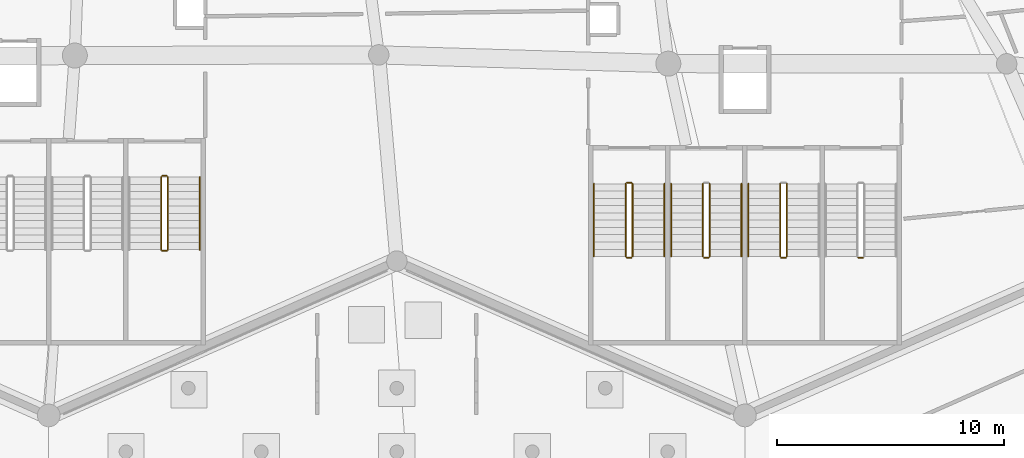
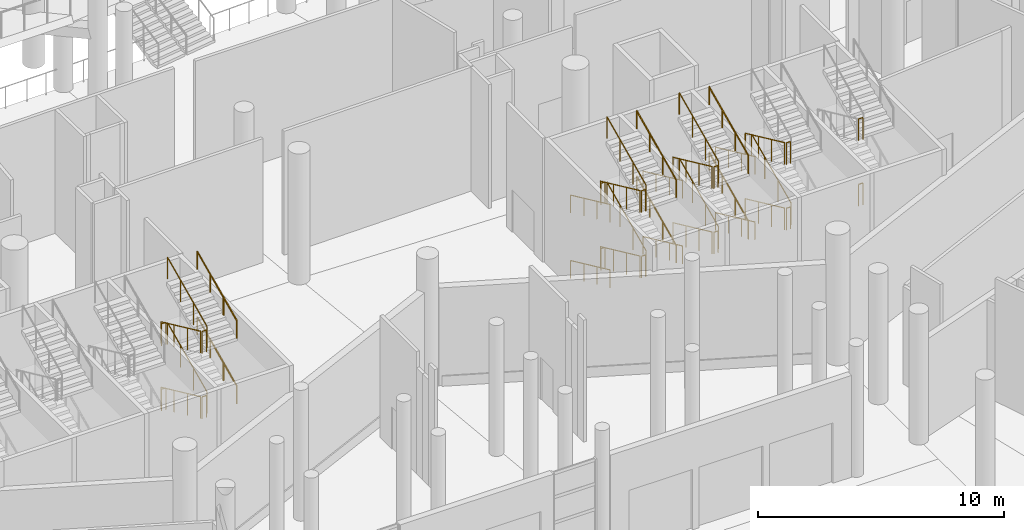
# One storey, part 204 of 255: 41 railings.
"""IFC4 building model written with IfcOpenShell, lengths in metres."""

import ifcopenshell
import ifcopenshell.guid

model = None  # the IFC model being written
_history = None  # IfcOwnerHistory: only IFC2X3 demands one
_inside = {}  # id of a spatial element -> (the spatial element, [elements in it])
_under = {}  # id of a project, library or spatial element -> (it, [spatial elements below it])
_declared = {}  # id of a project -> (the project, [libraries it declares])
_typed = {}  # id of a type object -> (the type object, [elements of that type])
_made_of = {}  # id of a material, layer set ... -> (it, [elements and type objects made of it])


def new_model(schema):
    """Start an empty IFC model of exactly this schema.

    Asked for "IFC4X3", IfcOpenShell would pick the latest addendum, in which some entities
    have other attributes; the version numbers below select the first issue.
    IFC2X3 requires an IfcOwnerHistory on every rooted entity: one is made here for all.
    """
    global model, _history
    if schema == "IFC4X3":
        model = ifcopenshell.file(schema_version=(4, 3, 0, 0))
    else:
        model = ifcopenshell.file(schema=schema)
    _inside.clear()
    _under.clear()
    _declared.clear()
    _typed.clear()
    _made_of.clear()
    _history = None
    if model.schema == "IFC2X3":
        org = make("IfcOrganization", Name="unknown")
        user = make(
            "IfcPersonAndOrganization",
            ThePerson=make("IfcPerson", FamilyName="unknown"),
            TheOrganization=org,
        )
        app = make(
            "IfcApplication",
            ApplicationDeveloper=org,
            Version="unknown",
            ApplicationFullName="unknown",
            ApplicationIdentifier="unknown",
        )
        _history = make(
            "IfcOwnerHistory",
            OwningUser=user,
            OwningApplication=app,
            ChangeAction="ADDED",
            CreationDate=0,
        )
    return model


def make(cls, **values):
    """One entity of the class cls with the attributes given. An attribute that is None is left unset."""
    return model.create_entity(
        cls, **{name: value for name, value in values.items() if value is not None}
    )


def rooted(cls, **values):
    """An entity with a GlobalId (a new one), such as an element, a storey or a relation."""
    return make(cls, GlobalId=ifcopenshell.guid.new(), OwnerHistory=_history, **values)


def si_unit(unit_type, name, prefix=None):
    """IfcSIUnit, for example si_unit("LENGTHUNIT", "METRE", prefix="MILLI")."""
    return make("IfcSIUnit", UnitType=unit_type, Prefix=prefix, Name=name)


def assignment(units):
    """IfcUnitAssignment: the units of a project."""
    return None if units is None else make("IfcUnitAssignment", Units=units)


def point(xyz):
    """IfcCartesianPoint."""
    return None if xyz is None else make("IfcCartesianPoint", Coordinates=xyz)


def direction(xyz):
    """IfcDirection."""
    return None if xyz is None else make("IfcDirection", DirectionRatios=xyz)


def frame(location, z_axis=None, x_axis=None):
    """IfcAxis2Placement3D, a coordinate frame: its origin and axes. An axis left out is left unset."""
    return make(
        "IfcAxis2Placement3D",
        Location=point(location),
        Axis=direction(z_axis),
        RefDirection=direction(x_axis),
    )


def frame_2d(location, x_axis=None):
    """IfcAxis2Placement2D, a coordinate frame in the plane: its origin and x axis."""
    return make(
        "IfcAxis2Placement2D", Location=point(location), RefDirection=direction(x_axis)
    )


def origin():
    """The frame at (0, 0, 0) with its axes left unset."""
    return frame((0.0, 0.0, 0.0))


def origin_2d():
    """The frame at (0, 0) in the plane with its x axis left unset."""
    return frame_2d((0.0, 0.0))


def place(relative_to, where):
    """IfcLocalPlacement: puts the frame where relative to a parent placement (None: the world)."""
    return make(
        "IfcLocalPlacement", PlacementRelTo=relative_to, RelativePlacement=where
    )


def context(
    kind, dimensions, precision=None, world=None, true_north=None, identifier=None
):
    """IfcGeometricRepresentationContext, for example the 3D "Model" context."""
    return make(
        "IfcGeometricRepresentationContext",
        ContextIdentifier=identifier,
        ContextType=kind,
        CoordinateSpaceDimension=dimensions,
        Precision=precision,
        WorldCoordinateSystem=world,
        TrueNorth=true_north,
    )


def subcontext(parent, identifier, kind, view, scale=None):
    """IfcGeometricRepresentationSubContext, for example "Body" below "Model"."""
    return make(
        "IfcGeometricRepresentationSubContext",
        ContextIdentifier=identifier,
        ContextType=kind,
        ParentContext=parent,
        TargetScale=scale,
        TargetView=view,
    )


def project(units=None, contexts=None):
    """IfcProject with its units and contexts."""
    return rooted(
        "IfcProject",
        Name="project",
        RepresentationContexts=contexts,
        UnitsInContext=assignment(units),
    )


def spatial(cls, under=None, at=None, **own):
    """A site, building, storey or space (cls), placed at a placement, below another one or the project."""
    s = rooted(cls, ObjectPlacement=at, **own)
    if under is not None:
        _under.setdefault(under.id(), (under, []))[1].append(s)
    return s


def profile(cls, at=None, kind="AREA", **sizes):
    """A parametric profile (cls). Its sizes go by their IFC names, for example OverallWidth=200.0."""
    return make(cls, ProfileType=kind, Position=at, **sizes)


def circle(**sizes):
    """IfcCircleProfileDef."""
    return profile("IfcCircleProfileDef", **sizes)


def extrude(swept, where, along, depth):
    """IfcExtrudedAreaSolid: the profile swept, set in the frame where, extruded along a direction by depth."""
    return make(
        "IfcExtrudedAreaSolid",
        SweptArea=swept,
        Position=where,
        ExtrudedDirection=direction(along),
        Depth=depth,
    )


def shape(context_of_items, identifier, shape_type, items):
    """IfcShapeRepresentation: the items that make up one representation, for example the "Body"."""
    return make(
        "IfcShapeRepresentation",
        ContextOfItems=context_of_items,
        RepresentationIdentifier=identifier,
        RepresentationType=shape_type,
        Items=items,
    )


def material(Name=None, Category=None):
    """IfcMaterial."""
    return make("IfcMaterial", Name=Name, Category=Category)


def made_of(thing, what):
    """Note that an element or type object is made of a material, layer set ...; save() writes the relation."""
    if what is not None:
        _made_of.setdefault(what.id(), (what, []))[1].append(thing)
    return thing


def type_object(cls, material=None, **own):
    """A type object (cls), such as IfcWallType, which elements share."""
    return made_of(rooted(cls, **own), material)


def element(
    cls,
    number,
    at=None,
    inside=None,
    cuts=None,
    type_object=None,
    material=None,
    context=None,
    identifier="Body",
    shape_type=None,
    held_by="IfcProductDefinitionShape",
    body=None,
    shapes=None,
    **own,
):
    """One element of the class cls, such as IfcWall. Its Tag is "e" and its number.

    at: its placement. inside: the storey or other place that contains it. cuts: it is an
    opening in that element (IfcRelVoidsElement). A single representation is given by context,
    identifier, shape_type and body (its items); several are given by shapes. held_by: the class
    of the entity that holds the representations. save() writes the other relations.
    """
    e = rooted(cls, Tag="e%d" % number, ObjectPlacement=at, **own)
    if body is not None:
        shapes = [shape(context, identifier, shape_type, body)]
    if shapes is not None:
        e.Representation = make(held_by, Representations=shapes)
    if inside is not None:
        _inside.setdefault(inside.id(), (inside, []))[1].append(e)
    if cuts is not None:
        rooted(
            "IfcRelVoidsElement", RelatingBuildingElement=cuts, RelatedOpeningElement=e
        )
    if type_object is not None:
        _typed.setdefault(type_object.id(), (type_object, []))[1].append(e)
    return made_of(e, material)


def aggregate(whole, parts):
    """IfcRelAggregates: a whole, such as a stair, and the parts it consists of."""
    return rooted("IfcRelAggregates", RelatingObject=whole, RelatedObjects=parts)


def save(model, path):
    """Write the relations noted so far, then the file.

    IfcRelAggregates (storeys below a building ...), IfcRelContainedInSpatialStructure (elements
    in a storey), IfcRelDefinesByType, IfcRelAssociatesMaterial and IfcRelDeclares: one each for
    every whole, place, type object, material and project.
    """
    for whole, parts in _under.values():
        aggregate(whole, parts)
    for where, things in _inside.values():
        rooted(
            "IfcRelContainedInSpatialStructure",
            RelatedElements=things,
            RelatingStructure=where,
        )
    for kind, things in _typed.values():
        rooted("IfcRelDefinesByType", RelatedObjects=things, RelatingType=kind)
    for what, things in _made_of.values():
        rooted("IfcRelAssociatesMaterial", RelatedObjects=things, RelatingMaterial=what)
    for by, libraries in _declared.values():
        rooted("IfcRelDeclares", RelatingContext=by, RelatedDefinitions=libraries)
    model.write(path)


model = new_model("IFC4")

# Units and contexts
model_context = context("Model", 3, precision=1e-05, world=origin(), true_north=direction((0.0, 1.0)))
body_context = subcontext(model_context, "Body", "Model", "MODEL_VIEW")
ifc_project = project(units=[si_unit("LENGTHUNIT", "METRE"), si_unit("AREAUNIT", "SQUARE_METRE"), si_unit("VOLUMEUNIT", "CUBIC_METRE"), si_unit("PLANEANGLEUNIT", "RADIAN"), si_unit("MASSUNIT", "GRAM", prefix="KILO")], contexts=[model_context])

# Site, building, storey
site_placement = place(None, origin())
site = spatial("IfcSite", under=ifc_project, at=site_placement, CompositionType="ELEMENT")
building_placement = place(site_placement, origin())
building = spatial("IfcBuilding", under=site, at=building_placement, Name="Meseta Stadium", CompositionType="ELEMENT")
storey_placement = place(building_placement, origin())
storey = spatial("IfcBuildingStorey", under=building, at=storey_placement, Name="L00", CompositionType="ELEMENT", Elevation=0.0)

# Railings
ifc_material_1 = material(Name="Steel S355", Category="steel")
railing_type_1 = type_object("IfcRailingType", Name="Stair guard 1100", PredefinedType="GUARDRAIL", material=ifc_material_1)
railing_1_placement = place(storey_placement, frame((-2.716552734375, -94.89990234375, 0.147705078125)))
element("IfcRailing", 1, at=railing_1_placement, inside=storey, type_object=railing_type_1, Name="ST96 L00 guard 1", PredefinedType="GUARDRAIL", context=body_context, shape_type="SweptSolid", body=[
    extrude(circle(Radius=0.02392578125, at=origin_2d()), frame((0.0, 0.0, 1.076171875), z_axis=(0.0, -0.907928972973, 0.419124062821), x_axis=(1.0, 0.0, 0.0)), (0.0, 0.0, 1.0), 3.524658203125),
    extrude(circle(Radius=0.02099609375, at=origin_2d()), origin(), (0.0, 0.0, 1.0), 1.052001953125),
    extrude(circle(Radius=0.02099609375, at=origin_2d()), frame((0.0, -1.066650390625, 0.492431640625)), (0.0, 0.0, 1.0), 1.052001953125),
    extrude(circle(Radius=0.02099609375, at=origin_2d()), frame((0.0, -2.133544921875, 0.98486328125)), (0.0, 0.0, 1.0), 1.052001953125),
    extrude(circle(Radius=0.02099609375, at=origin_2d()), frame((0.0, -3.2001953125, 1.477294921875)), (0.0, 0.0, 1.0), 1.052001953125),
])
railing_2_placement = place(storey_placement, frame((-2.666748046875, -98.14990234375, 1.625)))
element("IfcRailing", 2, at=railing_2_placement, inside=storey, type_object=railing_type_1, Name="ST96 L00 guard 2", PredefinedType="GUARDRAIL", context=body_context, shape_type="SweptSolid", body=[
    extrude(circle(Radius=0.02392578125, at=origin_2d()), frame((0.0, 0.0, 1.076171875), z_axis=(1.0, 0.0, 0.0), x_axis=(0.0, 1.0, 0.0)), (0.0, 0.0, 1.0), 0.2001953125),
    extrude(circle(Radius=0.02099609375, at=origin_2d()), origin(), (0.0, 0.0, 1.0), 1.052001953125),
    extrude(circle(Radius=0.02099609375, at=origin_2d()), frame((0.2001953125, 0.0, 0.0)), (0.0, 0.0, 1.0), 1.052001953125),
])
railing_3_placement = place(storey_placement, frame((-2.416748046875, -98.10009765625, 1.772705078125)))
element("IfcRailing", 3, at=railing_3_placement, inside=storey, type_object=railing_type_1, Name="ST96 L00 guard 3", PredefinedType="GUARDRAIL", context=body_context, shape_type="SweptSolid", body=[
    extrude(circle(Radius=0.02392578125, at=origin_2d()), frame((0.0, 0.0, 1.076171875), z_axis=(0.0, 0.907928972973, 0.419124062821), x_axis=(-1.0, 0.0, 0.0)), (0.0, 0.0, 1.0), 3.524658203125),
    extrude(circle(Radius=0.02099609375, at=origin_2d()), origin(), (0.0, 0.0, 1.0), 1.052001953125),
    extrude(circle(Radius=0.02099609375, at=origin_2d()), frame((0.0, 1.066650390625, 0.492431640625)), (0.0, 0.0, 1.0), 1.052001953125),
    extrude(circle(Radius=0.02099609375, at=origin_2d()), frame((0.0, 2.133544921875, 0.98486328125)), (0.0, 0.0, 1.0), 1.052001953125),
    extrude(circle(Radius=0.02099609375, at=origin_2d()), frame((0.0, 3.2001953125, 1.477294921875)), (0.0, 0.0, 1.0), 1.052001953125),
])
railing_4_placement = place(storey_placement, frame((-2.666748046875, -94.85009765625, 3.25)))
element("IfcRailing", 4, at=railing_4_placement, inside=storey, type_object=railing_type_1, Name="ST96 L00 guard 4", PredefinedType="GUARDRAIL", context=body_context, shape_type="SweptSolid", body=[
    extrude(circle(Radius=0.02392578125, at=origin_2d()), frame((0.0, 0.0, 1.076171875), z_axis=(1.0, 0.0, 0.0), x_axis=(0.0, 1.0, 0.0)), (0.0, 0.0, 1.0), 0.2001953125),
    extrude(circle(Radius=0.02099609375, at=origin_2d()), origin(), (0.0, 0.0, 1.0), 1.052001953125),
    extrude(circle(Radius=0.02099609375, at=origin_2d()), frame((0.2001953125, 0.0, 0.0)), (0.0, 0.0, 1.0), 1.052001953125),
])
railing_5_placement = place(storey_placement, frame((-2.716552734375, -94.89990234375, 3.397705078125)))
element("IfcRailing", 5, at=railing_5_placement, inside=storey, type_object=railing_type_1, Name="ST96 L00 guard 5", PredefinedType="GUARDRAIL", context=body_context, shape_type="SweptSolid", body=[
    extrude(circle(Radius=0.02392578125, at=origin_2d()), frame((0.0, 0.0, 1.076171875), z_axis=(0.0, -0.907928972973, 0.419124062821), x_axis=(1.0, 0.0, 0.0)), (0.0, 0.0, 1.0), 3.524658203125),
    extrude(circle(Radius=0.02099609375, at=origin_2d()), origin(), (0.0, 0.0, 1.0), 1.052001953125),
    extrude(circle(Radius=0.02099609375, at=origin_2d()), frame((0.0, -1.066650390625, 0.492431640625)), (0.0, 0.0, 1.0), 1.052001953125),
    extrude(circle(Radius=0.02099609375, at=origin_2d()), frame((0.0, -2.133544921875, 0.98486328125)), (0.0, 0.0, 1.0), 1.052001953125),
    extrude(circle(Radius=0.02099609375, at=origin_2d()), frame((0.0, -3.2001953125, 1.477294921875)), (0.0, 0.0, 1.0), 1.052001953125),
])
railing_6_placement = place(storey_placement, frame((-2.666748046875, -98.14990234375, 4.875)))
element("IfcRailing", 6, at=railing_6_placement, inside=storey, type_object=railing_type_1, Name="ST96 L00 guard 6", PredefinedType="GUARDRAIL", context=body_context, shape_type="SweptSolid", body=[
    extrude(circle(Radius=0.02392578125, at=origin_2d()), frame((0.0, 0.0, 1.076171875), z_axis=(1.0, 0.0, 0.0), x_axis=(0.0, 1.0, 0.0)), (0.0, 0.0, 1.0), 0.2001953125),
    extrude(circle(Radius=0.02099609375, at=origin_2d()), origin(), (0.0, 0.0, 1.0), 1.052001953125),
    extrude(circle(Radius=0.02099609375, at=origin_2d()), frame((0.2001953125, 0.0, 0.0)), (0.0, 0.0, 1.0), 1.052001953125),
])
railing_7_placement = place(storey_placement, frame((-2.416748046875, -98.10009765625, 5.022705078125)))
element("IfcRailing", 7, at=railing_7_placement, inside=storey, type_object=railing_type_1, Name="ST96 L00 guard 7", PredefinedType="GUARDRAIL", context=body_context, shape_type="SweptSolid", body=[
    extrude(circle(Radius=0.02392578125, at=origin_2d()), frame((0.0, 0.0, 1.076171875), z_axis=(0.0, 0.907928972973, 0.419124062821), x_axis=(-1.0, 0.0, 0.0)), (0.0, 0.0, 1.0), 3.524658203125),
    extrude(circle(Radius=0.02099609375, at=origin_2d()), origin(), (0.0, 0.0, 1.0), 1.052001953125),
    extrude(circle(Radius=0.02099609375, at=origin_2d()), frame((0.0, 1.066650390625, 0.492431640625)), (0.0, 0.0, 1.0), 1.052001953125),
    extrude(circle(Radius=0.02099609375, at=origin_2d()), frame((0.0, 2.133544921875, 0.98486328125)), (0.0, 0.0, 1.0), 1.052001953125),
    extrude(circle(Radius=0.02099609375, at=origin_2d()), frame((0.0, 3.2001953125, 1.477294921875)), (0.0, 0.0, 1.0), 1.052001953125),
])
railing_8_placement = place(storey_placement, frame((-2.666748046875, -94.85009765625, 0.0)))
element("IfcRailing", 8, at=railing_8_placement, inside=storey, type_object=railing_type_1, Name="ST96 L00 guard 8", PredefinedType="GUARDRAIL", context=body_context, shape_type="SweptSolid", body=[
    extrude(circle(Radius=0.02392578125, at=origin_2d()), frame((0.0, 0.0, 1.076171875), z_axis=(1.0, 0.0, 0.0), x_axis=(0.0, 1.0, 0.0)), (0.0, 0.0, 1.0), 0.2001953125),
    extrude(circle(Radius=0.02099609375, at=origin_2d()), origin(), (0.0, 0.0, 1.0), 1.052001953125),
    extrude(circle(Radius=0.02099609375, at=origin_2d()), frame((0.2001953125, 0.0, 0.0)), (0.0, 0.0, 1.0), 1.052001953125),
])
railing_9_placement = place(storey_placement, frame((17.75, -95.199951171875, 0.147705078125)))
element("IfcRailing", 9, at=railing_9_placement, inside=storey, type_object=railing_type_1, Name="ST97 L00 guard 1", PredefinedType="GUARDRAIL", context=body_context, shape_type="SweptSolid", body=[
    extrude(circle(Radius=0.02392578125, at=origin_2d()), frame((0.0, 0.0, 1.076171875), z_axis=(0.0, -0.907916804346, 0.419150422148), x_axis=(1.0, 0.0, 0.0)), (0.0, 0.0, 1.0), 3.5244140625),
    extrude(circle(Radius=0.02099609375, at=origin_2d()), origin(), (0.0, 0.0, 1.0), 1.052001953125),
    extrude(circle(Radius=0.02099609375, at=origin_2d()), frame((0.0, -1.066650390625, 0.492431640625)), (0.0, 0.0, 1.0), 1.052001953125),
    extrude(circle(Radius=0.02099609375, at=origin_2d()), frame((0.0, -2.13330078125, 0.98486328125)), (0.0, 0.0, 1.0), 1.052001953125),
    extrude(circle(Radius=0.02099609375, at=origin_2d()), frame((0.0, -3.199951171875, 1.477294921875)), (0.0, 0.0, 1.0), 1.052001953125),
])
railing_10_placement = place(storey_placement, frame((17.800048828125, -98.449951171875, 1.625)))
element("IfcRailing", 10, at=railing_10_placement, inside=storey, type_object=railing_type_1, Name="ST97 L00 guard 2", PredefinedType="GUARDRAIL", context=body_context, shape_type="SweptSolid", body=[
    extrude(circle(Radius=0.02392578125, at=origin_2d()), frame((0.0, 0.0, 1.076171875), z_axis=(1.0, 0.0, 0.0), x_axis=(0.0, 1.0, 0.0)), (0.0, 0.0, 1.0), 0.199951171875),
    extrude(circle(Radius=0.02099609375, at=origin_2d()), origin(), (0.0, 0.0, 1.0), 1.052001953125),
    extrude(circle(Radius=0.02099609375, at=origin_2d()), frame((0.199951171875, 0.0, 0.0)), (0.0, 0.0, 1.0), 1.052001953125),
])
railing_11_placement = place(storey_placement, frame((18.050048828125, -98.39990234375, 1.772705078125)))
element("IfcRailing", 11, at=railing_11_placement, inside=storey, type_object=railing_type_1, Name="ST97 L00 guard 3", PredefinedType="GUARDRAIL", context=body_context, shape_type="SweptSolid", body=[
    extrude(circle(Radius=0.02392578125, at=origin_2d()), frame((0.0, 0.0, 1.076171875), z_axis=(0.0, 0.907916804346, 0.419150422148), x_axis=(-1.0, 0.0, 0.0)), (0.0, 0.0, 1.0), 3.5244140625),
    extrude(circle(Radius=0.02099609375, at=origin_2d()), origin(), (0.0, 0.0, 1.0), 1.052001953125),
    extrude(circle(Radius=0.02099609375, at=origin_2d()), frame((0.0, 1.066650390625, 0.492431640625)), (0.0, 0.0, 1.0), 1.052001953125),
    extrude(circle(Radius=0.02099609375, at=origin_2d()), frame((0.0, 2.13330078125, 0.98486328125)), (0.0, 0.0, 1.0), 1.052001953125),
    extrude(circle(Radius=0.02099609375, at=origin_2d()), frame((0.0, 3.199951171875, 1.477294921875)), (0.0, 0.0, 1.0), 1.052001953125),
])
railing_12_placement = place(storey_placement, frame((17.800048828125, -95.14990234375, 3.25)))
element("IfcRailing", 12, at=railing_12_placement, inside=storey, type_object=railing_type_1, Name="ST97 L00 guard 4", PredefinedType="GUARDRAIL", context=body_context, shape_type="SweptSolid", body=[
    extrude(circle(Radius=0.02392578125, at=origin_2d()), frame((0.0, 0.0, 1.076171875), z_axis=(1.0, 0.0, 0.0), x_axis=(0.0, 1.0, 0.0)), (0.0, 0.0, 1.0), 0.199951171875),
    extrude(circle(Radius=0.02099609375, at=origin_2d()), origin(), (0.0, 0.0, 1.0), 1.052001953125),
    extrude(circle(Radius=0.02099609375, at=origin_2d()), frame((0.199951171875, 0.0, 0.0)), (0.0, 0.0, 1.0), 1.052001953125),
])
railing_13_placement = place(storey_placement, frame((17.75, -95.199951171875, 3.397705078125)))
element("IfcRailing", 13, at=railing_13_placement, inside=storey, type_object=railing_type_1, Name="ST97 L00 guard 5", PredefinedType="GUARDRAIL", context=body_context, shape_type="SweptSolid", body=[
    extrude(circle(Radius=0.02392578125, at=origin_2d()), frame((0.0, 0.0, 1.076171875), z_axis=(0.0, -0.907916804346, 0.419150422148), x_axis=(1.0, 0.0, 0.0)), (0.0, 0.0, 1.0), 3.5244140625),
    extrude(circle(Radius=0.02099609375, at=origin_2d()), origin(), (0.0, 0.0, 1.0), 1.052001953125),
    extrude(circle(Radius=0.02099609375, at=origin_2d()), frame((0.0, -1.066650390625, 0.492431640625)), (0.0, 0.0, 1.0), 1.052001953125),
    extrude(circle(Radius=0.02099609375, at=origin_2d()), frame((0.0, -2.13330078125, 0.98486328125)), (0.0, 0.0, 1.0), 1.052001953125),
    extrude(circle(Radius=0.02099609375, at=origin_2d()), frame((0.0, -3.199951171875, 1.477294921875)), (0.0, 0.0, 1.0), 1.052001953125),
])
railing_14_placement = place(storey_placement, frame((17.800048828125, -98.449951171875, 4.875)))
element("IfcRailing", 14, at=railing_14_placement, inside=storey, type_object=railing_type_1, Name="ST97 L00 guard 6", PredefinedType="GUARDRAIL", context=body_context, shape_type="SweptSolid", body=[
    extrude(circle(Radius=0.02392578125, at=origin_2d()), frame((0.0, 0.0, 1.076171875), z_axis=(1.0, 0.0, 0.0), x_axis=(0.0, 1.0, 0.0)), (0.0, 0.0, 1.0), 0.199951171875),
    extrude(circle(Radius=0.02099609375, at=origin_2d()), origin(), (0.0, 0.0, 1.0), 1.052001953125),
    extrude(circle(Radius=0.02099609375, at=origin_2d()), frame((0.199951171875, 0.0, 0.0)), (0.0, 0.0, 1.0), 1.052001953125),
])
railing_15_placement = place(storey_placement, frame((18.050048828125, -98.39990234375, 5.022705078125)))
element("IfcRailing", 15, at=railing_15_placement, inside=storey, type_object=railing_type_1, Name="ST97 L00 guard 7", PredefinedType="GUARDRAIL", context=body_context, shape_type="SweptSolid", body=[
    extrude(circle(Radius=0.02392578125, at=origin_2d()), frame((0.0, 0.0, 1.076171875), z_axis=(0.0, 0.907916804346, 0.419150422148), x_axis=(-1.0, 0.0, 0.0)), (0.0, 0.0, 1.0), 3.5244140625),
    extrude(circle(Radius=0.02099609375, at=origin_2d()), origin(), (0.0, 0.0, 1.0), 1.052001953125),
    extrude(circle(Radius=0.02099609375, at=origin_2d()), frame((0.0, 1.066650390625, 0.492431640625)), (0.0, 0.0, 1.0), 1.052001953125),
    extrude(circle(Radius=0.02099609375, at=origin_2d()), frame((0.0, 2.13330078125, 0.98486328125)), (0.0, 0.0, 1.0), 1.052001953125),
    extrude(circle(Radius=0.02099609375, at=origin_2d()), frame((0.0, 3.199951171875, 1.477294921875)), (0.0, 0.0, 1.0), 1.052001953125),
])
railing_16_placement = place(storey_placement, frame((17.800048828125, -95.14990234375, 0.0)))
element("IfcRailing", 16, at=railing_16_placement, inside=storey, type_object=railing_type_1, Name="ST97 L00 guard 8", PredefinedType="GUARDRAIL", context=body_context, shape_type="SweptSolid", body=[
    extrude(circle(Radius=0.02392578125, at=origin_2d()), frame((0.0, 0.0, 1.076171875), z_axis=(1.0, 0.0, 0.0), x_axis=(0.0, 1.0, 0.0)), (0.0, 0.0, 1.0), 0.199951171875),
    extrude(circle(Radius=0.02099609375, at=origin_2d()), origin(), (0.0, 0.0, 1.0), 1.052001953125),
    extrude(circle(Radius=0.02099609375, at=origin_2d()), frame((0.199951171875, 0.0, 0.0)), (0.0, 0.0, 1.0), 1.052001953125),
])
railing_17_placement = place(storey_placement, frame((21.14990234375, -95.199951171875, 0.147705078125)))
element("IfcRailing", 17, at=railing_17_placement, inside=storey, type_object=railing_type_1, Name="ST98 L00 guard 1", PredefinedType="GUARDRAIL", context=body_context, shape_type="SweptSolid", body=[
    extrude(circle(Radius=0.02392578125, at=origin_2d()), frame((0.0, 0.0, 1.076171875), z_axis=(0.0, -0.907916804346, 0.419150422148), x_axis=(1.0, 0.0, 0.0)), (0.0, 0.0, 1.0), 3.5244140625),
    extrude(circle(Radius=0.02099609375, at=origin_2d()), origin(), (0.0, 0.0, 1.0), 1.052001953125),
    extrude(circle(Radius=0.02099609375, at=origin_2d()), frame((0.0, -1.066650390625, 0.492431640625)), (0.0, 0.0, 1.0), 1.052001953125),
    extrude(circle(Radius=0.02099609375, at=origin_2d()), frame((0.0, -2.13330078125, 0.98486328125)), (0.0, 0.0, 1.0), 1.052001953125),
    extrude(circle(Radius=0.02099609375, at=origin_2d()), frame((0.0, -3.199951171875, 1.477294921875)), (0.0, 0.0, 1.0), 1.052001953125),
])
railing_18_placement = place(storey_placement, frame((21.199951171875, -98.449951171875, 1.625)))
element("IfcRailing", 18, at=railing_18_placement, inside=storey, type_object=railing_type_1, Name="ST98 L00 guard 2", PredefinedType="GUARDRAIL", context=body_context, shape_type="SweptSolid", body=[
    extrude(circle(Radius=0.02392578125, at=origin_2d()), frame((0.0, 0.0, 1.076171875), z_axis=(1.0, 0.0, 0.0), x_axis=(0.0, 1.0, 0.0)), (0.0, 0.0, 1.0), 0.199951171875),
    extrude(circle(Radius=0.02099609375, at=origin_2d()), origin(), (0.0, 0.0, 1.0), 1.052001953125),
    extrude(circle(Radius=0.02099609375, at=origin_2d()), frame((0.199951171875, 0.0, 0.0)), (0.0, 0.0, 1.0), 1.052001953125),
])
railing_19_placement = place(storey_placement, frame((21.449951171875, -98.39990234375, 1.772705078125)))
element("IfcRailing", 19, at=railing_19_placement, inside=storey, type_object=railing_type_1, Name="ST98 L00 guard 3", PredefinedType="GUARDRAIL", context=body_context, shape_type="SweptSolid", body=[
    extrude(circle(Radius=0.02392578125, at=origin_2d()), frame((0.0, 0.0, 1.076171875), z_axis=(0.0, 0.907916804346, 0.419150422148), x_axis=(-1.0, 0.0, 0.0)), (0.0, 0.0, 1.0), 3.5244140625),
    extrude(circle(Radius=0.02099609375, at=origin_2d()), origin(), (0.0, 0.0, 1.0), 1.052001953125),
    extrude(circle(Radius=0.02099609375, at=origin_2d()), frame((0.0, 1.066650390625, 0.492431640625)), (0.0, 0.0, 1.0), 1.052001953125),
    extrude(circle(Radius=0.02099609375, at=origin_2d()), frame((0.0, 2.13330078125, 0.98486328125)), (0.0, 0.0, 1.0), 1.052001953125),
    extrude(circle(Radius=0.02099609375, at=origin_2d()), frame((0.0, 3.199951171875, 1.477294921875)), (0.0, 0.0, 1.0), 1.052001953125),
])
railing_20_placement = place(storey_placement, frame((21.14990234375, -95.199951171875, 3.397705078125)))
element("IfcRailing", 20, at=railing_20_placement, inside=storey, type_object=railing_type_1, Name="ST98 L00 guard 5", PredefinedType="GUARDRAIL", context=body_context, shape_type="SweptSolid", body=[
    extrude(circle(Radius=0.02392578125, at=origin_2d()), frame((0.0, 0.0, 1.076171875), z_axis=(0.0, -0.907916804346, 0.419150422148), x_axis=(1.0, 0.0, 0.0)), (0.0, 0.0, 1.0), 3.5244140625),
    extrude(circle(Radius=0.02099609375, at=origin_2d()), origin(), (0.0, 0.0, 1.0), 1.052001953125),
    extrude(circle(Radius=0.02099609375, at=origin_2d()), frame((0.0, -1.066650390625, 0.492431640625)), (0.0, 0.0, 1.0), 1.052001953125),
    extrude(circle(Radius=0.02099609375, at=origin_2d()), frame((0.0, -2.13330078125, 0.98486328125)), (0.0, 0.0, 1.0), 1.052001953125),
    extrude(circle(Radius=0.02099609375, at=origin_2d()), frame((0.0, -3.199951171875, 1.477294921875)), (0.0, 0.0, 1.0), 1.052001953125),
])
railing_21_placement = place(storey_placement, frame((21.199951171875, -98.449951171875, 4.875)))
element("IfcRailing", 21, at=railing_21_placement, inside=storey, type_object=railing_type_1, Name="ST98 L00 guard 6", PredefinedType="GUARDRAIL", context=body_context, shape_type="SweptSolid", body=[
    extrude(circle(Radius=0.02392578125, at=origin_2d()), frame((0.0, 0.0, 1.076171875), z_axis=(1.0, 0.0, 0.0), x_axis=(0.0, 1.0, 0.0)), (0.0, 0.0, 1.0), 0.199951171875),
    extrude(circle(Radius=0.02099609375, at=origin_2d()), origin(), (0.0, 0.0, 1.0), 1.052001953125),
    extrude(circle(Radius=0.02099609375, at=origin_2d()), frame((0.199951171875, 0.0, 0.0)), (0.0, 0.0, 1.0), 1.052001953125),
])
railing_22_placement = place(storey_placement, frame((21.449951171875, -98.39990234375, 5.022705078125)))
element("IfcRailing", 22, at=railing_22_placement, inside=storey, type_object=railing_type_1, Name="ST98 L00 guard 7", PredefinedType="GUARDRAIL", context=body_context, shape_type="SweptSolid", body=[
    extrude(circle(Radius=0.02392578125, at=origin_2d()), frame((0.0, 0.0, 1.076171875), z_axis=(0.0, 0.907916804346, 0.419150422148), x_axis=(-1.0, 0.0, 0.0)), (0.0, 0.0, 1.0), 3.5244140625),
    extrude(circle(Radius=0.02099609375, at=origin_2d()), origin(), (0.0, 0.0, 1.0), 1.052001953125),
    extrude(circle(Radius=0.02099609375, at=origin_2d()), frame((0.0, 1.066650390625, 0.492431640625)), (0.0, 0.0, 1.0), 1.052001953125),
    extrude(circle(Radius=0.02099609375, at=origin_2d()), frame((0.0, 2.13330078125, 0.98486328125)), (0.0, 0.0, 1.0), 1.052001953125),
    extrude(circle(Radius=0.02099609375, at=origin_2d()), frame((0.0, 3.199951171875, 1.477294921875)), (0.0, 0.0, 1.0), 1.052001953125),
])
railing_23_placement = place(storey_placement, frame((24.550048828125, -95.199951171875, 0.147705078125)))
element("IfcRailing", 23, at=railing_23_placement, inside=storey, type_object=railing_type_1, Name="ST99 L00 guard 1", PredefinedType="GUARDRAIL", context=body_context, shape_type="SweptSolid", body=[
    extrude(circle(Radius=0.02392578125, at=origin_2d()), frame((0.0, 0.0, 1.076171875), z_axis=(0.0, -0.907916804346, 0.419150422148), x_axis=(1.0, 0.0, 0.0)), (0.0, 0.0, 1.0), 3.5244140625),
    extrude(circle(Radius=0.02099609375, at=origin_2d()), origin(), (0.0, 0.0, 1.0), 1.052001953125),
    extrude(circle(Radius=0.02099609375, at=origin_2d()), frame((0.0, -1.066650390625, 0.492431640625)), (0.0, 0.0, 1.0), 1.052001953125),
    extrude(circle(Radius=0.02099609375, at=origin_2d()), frame((0.0, -2.13330078125, 0.98486328125)), (0.0, 0.0, 1.0), 1.052001953125),
    extrude(circle(Radius=0.02099609375, at=origin_2d()), frame((0.0, -3.199951171875, 1.477294921875)), (0.0, 0.0, 1.0), 1.052001953125),
])
railing_24_placement = place(storey_placement, frame((24.60009765625, -98.449951171875, 1.625)))
element("IfcRailing", 24, at=railing_24_placement, inside=storey, type_object=railing_type_1, Name="ST99 L00 guard 2", PredefinedType="GUARDRAIL", context=body_context, shape_type="SweptSolid", body=[
    extrude(circle(Radius=0.02392578125, at=origin_2d()), frame((0.0, 0.0, 1.076171875), z_axis=(1.0, 0.0, 0.0), x_axis=(0.0, 1.0, 0.0)), (0.0, 0.0, 1.0), 0.199951171875),
    extrude(circle(Radius=0.02099609375, at=origin_2d()), origin(), (0.0, 0.0, 1.0), 1.052001953125),
    extrude(circle(Radius=0.02099609375, at=origin_2d()), frame((0.199951171875, 0.0, 0.0)), (0.0, 0.0, 1.0), 1.052001953125),
])
railing_25_placement = place(storey_placement, frame((24.85009765625, -98.39990234375, 1.772705078125)))
element("IfcRailing", 25, at=railing_25_placement, inside=storey, type_object=railing_type_1, Name="ST99 L00 guard 3", PredefinedType="GUARDRAIL", context=body_context, shape_type="SweptSolid", body=[
    extrude(circle(Radius=0.02392578125, at=origin_2d()), frame((0.0, 0.0, 1.076171875), z_axis=(0.0, 0.907916804346, 0.419150422148), x_axis=(-1.0, 0.0, 0.0)), (0.0, 0.0, 1.0), 3.5244140625),
    extrude(circle(Radius=0.02099609375, at=origin_2d()), origin(), (0.0, 0.0, 1.0), 1.052001953125),
    extrude(circle(Radius=0.02099609375, at=origin_2d()), frame((0.0, 1.066650390625, 0.492431640625)), (0.0, 0.0, 1.0), 1.052001953125),
    extrude(circle(Radius=0.02099609375, at=origin_2d()), frame((0.0, 2.13330078125, 0.98486328125)), (0.0, 0.0, 1.0), 1.052001953125),
    extrude(circle(Radius=0.02099609375, at=origin_2d()), frame((0.0, 3.199951171875, 1.477294921875)), (0.0, 0.0, 1.0), 1.052001953125),
])
railing_26_placement = place(storey_placement, frame((24.550048828125, -95.199951171875, 3.397705078125)))
element("IfcRailing", 26, at=railing_26_placement, inside=storey, type_object=railing_type_1, Name="ST99 L00 guard 5", PredefinedType="GUARDRAIL", context=body_context, shape_type="SweptSolid", body=[
    extrude(circle(Radius=0.02392578125, at=origin_2d()), frame((0.0, 0.0, 1.076171875), z_axis=(0.0, -0.907916804346, 0.419150422148), x_axis=(1.0, 0.0, 0.0)), (0.0, 0.0, 1.0), 3.5244140625),
    extrude(circle(Radius=0.02099609375, at=origin_2d()), origin(), (0.0, 0.0, 1.0), 1.052001953125),
    extrude(circle(Radius=0.02099609375, at=origin_2d()), frame((0.0, -1.066650390625, 0.492431640625)), (0.0, 0.0, 1.0), 1.052001953125),
    extrude(circle(Radius=0.02099609375, at=origin_2d()), frame((0.0, -2.13330078125, 0.98486328125)), (0.0, 0.0, 1.0), 1.052001953125),
    extrude(circle(Radius=0.02099609375, at=origin_2d()), frame((0.0, -3.199951171875, 1.477294921875)), (0.0, 0.0, 1.0), 1.052001953125),
])
for number, where, name in (
    (27, (24.60009765625, -98.449951171875, 4.875), "ST99 L00 guard 6"),
    (28, (28.0, -98.449951171875, 1.625), "ST100 L00 guard 2"),
    (29, (28.0, -98.449951171875, 4.875), "ST100 L00 guard 6"),
):
    element("IfcRailing", number, at=place(storey_placement, frame(where)), inside=storey, type_object=railing_type_1, Name=name, PredefinedType="GUARDRAIL", context=body_context, shape_type="SweptSolid", body=[
        extrude(circle(Radius=0.02392578125, at=origin_2d()), frame((0.0, 0.0, 1.076171875), z_axis=(1.0, 0.0, 0.0), x_axis=(0.0, 1.0, 0.0)), (0.0, 0.0, 1.0), 0.199951171875),
        extrude(circle(Radius=0.02099609375, at=origin_2d()), origin(), (0.0, 0.0, 1.0), 1.052001953125),
        extrude(circle(Radius=0.02099609375, at=origin_2d()), frame((0.199951171875, 0.0, 0.0)), (0.0, 0.0, 1.0), 1.052001953125),
    ])
ifc_material_2 = material(Name="Steel S355", Category="steel")
railing_type_2 = type_object("IfcRailingType", Name="Stair handrail 900", PredefinedType="HANDRAIL", material=ifc_material_2)
for number, where, name in (
    (30, (-1.0166015625, -98.10009765625, 1.772705078125), "ST96 L00 handrail 2"),
    (31, (-1.0166015625, -98.10009765625, 5.022705078125), "ST96 L00 handrail 4"),
):
    element("IfcRailing", number, at=place(storey_placement, frame(where)), inside=storey, type_object=railing_type_2, Name=name, PredefinedType="HANDRAIL", context=body_context, shape_type="SweptSolid", body=[
        extrude(circle(Radius=0.02392578125, at=origin_2d()), frame((0.0, 0.0, 0.8759765625), z_axis=(0.0, 0.907928972973, 0.419124062821), x_axis=(-1.0, 0.0, 0.0)), (0.0, 0.0, 1.0), 3.524658203125),
        extrude(circle(Radius=0.02099609375, at=origin_2d()), origin(), (0.0, 0.0, 1.0), 0.851806640625),
        extrude(circle(Radius=0.02099609375, at=origin_2d()), frame((0.0, 1.066650390625, 0.492431640625)), (0.0, 0.0, 1.0), 0.851806640625),
        extrude(circle(Radius=0.02099609375, at=origin_2d()), frame((0.0, 2.133544921875, 0.98486328125)), (0.0, 0.0, 1.0), 0.851806640625),
        extrude(circle(Radius=0.02099609375, at=origin_2d()), frame((0.0, 3.2001953125, 1.477294921875)), (0.0, 0.0, 1.0), 0.851806640625),
    ])
railing_27_placement = place(storey_placement, frame((16.35009765625, -95.199951171875, 0.147705078125)))
element("IfcRailing", 32, at=railing_27_placement, inside=storey, type_object=railing_type_2, Name="ST97 L00 handrail 1", PredefinedType="HANDRAIL", context=body_context, shape_type="SweptSolid", body=[
    extrude(circle(Radius=0.02392578125, at=origin_2d()), frame((0.0, 0.0, 0.8759765625), z_axis=(0.0, -0.907916804346, 0.419150422148), x_axis=(1.0, 0.0, 0.0)), (0.0, 0.0, 1.0), 3.5244140625),
    extrude(circle(Radius=0.02099609375, at=origin_2d()), origin(), (0.0, 0.0, 1.0), 0.851806640625),
    extrude(circle(Radius=0.02099609375, at=origin_2d()), frame((0.0, -1.066650390625, 0.492431640625)), (0.0, 0.0, 1.0), 0.851806640625),
    extrude(circle(Radius=0.02099609375, at=origin_2d()), frame((0.0, -2.13330078125, 0.98486328125)), (0.0, 0.0, 1.0), 0.851806640625),
    extrude(circle(Radius=0.02099609375, at=origin_2d()), frame((0.0, -3.199951171875, 1.477294921875)), (0.0, 0.0, 1.0), 0.851806640625),
])
railing_28_placement = place(storey_placement, frame((19.449951171875, -98.39990234375, 1.772705078125)))
element("IfcRailing", 33, at=railing_28_placement, inside=storey, type_object=railing_type_2, Name="ST97 L00 handrail 2", PredefinedType="HANDRAIL", context=body_context, shape_type="SweptSolid", body=[
    extrude(circle(Radius=0.02392578125, at=origin_2d()), frame((0.0, 0.0, 0.8759765625), z_axis=(0.0, 0.907916804346, 0.419150422148), x_axis=(-1.0, 0.0, 0.0)), (0.0, 0.0, 1.0), 3.5244140625),
    extrude(circle(Radius=0.02099609375, at=origin_2d()), origin(), (0.0, 0.0, 1.0), 0.851806640625),
    extrude(circle(Radius=0.02099609375, at=origin_2d()), frame((0.0, 1.066650390625, 0.492431640625)), (0.0, 0.0, 1.0), 0.851806640625),
    extrude(circle(Radius=0.02099609375, at=origin_2d()), frame((0.0, 2.13330078125, 0.98486328125)), (0.0, 0.0, 1.0), 0.851806640625),
    extrude(circle(Radius=0.02099609375, at=origin_2d()), frame((0.0, 3.199951171875, 1.477294921875)), (0.0, 0.0, 1.0), 0.851806640625),
])
railing_29_placement = place(storey_placement, frame((16.35009765625, -95.199951171875, 3.397705078125)))
element("IfcRailing", 34, at=railing_29_placement, inside=storey, type_object=railing_type_2, Name="ST97 L00 handrail 3", PredefinedType="HANDRAIL", context=body_context, shape_type="SweptSolid", body=[
    extrude(circle(Radius=0.02392578125, at=origin_2d()), frame((0.0, 0.0, 0.8759765625), z_axis=(0.0, -0.907916804346, 0.419150422148), x_axis=(1.0, 0.0, 0.0)), (0.0, 0.0, 1.0), 3.5244140625),
    extrude(circle(Radius=0.02099609375, at=origin_2d()), origin(), (0.0, 0.0, 1.0), 0.851806640625),
    extrude(circle(Radius=0.02099609375, at=origin_2d()), frame((0.0, -1.066650390625, 0.492431640625)), (0.0, 0.0, 1.0), 0.851806640625),
    extrude(circle(Radius=0.02099609375, at=origin_2d()), frame((0.0, -2.13330078125, 0.98486328125)), (0.0, 0.0, 1.0), 0.851806640625),
    extrude(circle(Radius=0.02099609375, at=origin_2d()), frame((0.0, -3.199951171875, 1.477294921875)), (0.0, 0.0, 1.0), 0.851806640625),
])
railing_30_placement = place(storey_placement, frame((19.449951171875, -98.39990234375, 5.022705078125)))
element("IfcRailing", 35, at=railing_30_placement, inside=storey, type_object=railing_type_2, Name="ST97 L00 handrail 4", PredefinedType="HANDRAIL", context=body_context, shape_type="SweptSolid", body=[
    extrude(circle(Radius=0.02392578125, at=origin_2d()), frame((0.0, 0.0, 0.8759765625), z_axis=(0.0, 0.907916804346, 0.419150422148), x_axis=(-1.0, 0.0, 0.0)), (0.0, 0.0, 1.0), 3.5244140625),
    extrude(circle(Radius=0.02099609375, at=origin_2d()), origin(), (0.0, 0.0, 1.0), 0.851806640625),
    extrude(circle(Radius=0.02099609375, at=origin_2d()), frame((0.0, 1.066650390625, 0.492431640625)), (0.0, 0.0, 1.0), 0.851806640625),
    extrude(circle(Radius=0.02099609375, at=origin_2d()), frame((0.0, 2.13330078125, 0.98486328125)), (0.0, 0.0, 1.0), 0.851806640625),
    extrude(circle(Radius=0.02099609375, at=origin_2d()), frame((0.0, 3.199951171875, 1.477294921875)), (0.0, 0.0, 1.0), 0.851806640625),
])
railing_31_placement = place(storey_placement, frame((19.75, -95.199951171875, 0.147705078125)))
element("IfcRailing", 36, at=railing_31_placement, inside=storey, type_object=railing_type_2, Name="ST98 L00 handrail 1", PredefinedType="HANDRAIL", context=body_context, shape_type="SweptSolid", body=[
    extrude(circle(Radius=0.02392578125, at=origin_2d()), frame((0.0, 0.0, 0.8759765625), z_axis=(0.0, -0.907916804346, 0.419150422148), x_axis=(1.0, 0.0, 0.0)), (0.0, 0.0, 1.0), 3.5244140625),
    extrude(circle(Radius=0.02099609375, at=origin_2d()), origin(), (0.0, 0.0, 1.0), 0.851806640625),
    extrude(circle(Radius=0.02099609375, at=origin_2d()), frame((0.0, -1.066650390625, 0.492431640625)), (0.0, 0.0, 1.0), 0.851806640625),
    extrude(circle(Radius=0.02099609375, at=origin_2d()), frame((0.0, -2.13330078125, 0.98486328125)), (0.0, 0.0, 1.0), 0.851806640625),
    extrude(circle(Radius=0.02099609375, at=origin_2d()), frame((0.0, -3.199951171875, 1.477294921875)), (0.0, 0.0, 1.0), 0.851806640625),
])
railing_32_placement = place(storey_placement, frame((22.85009765625, -98.39990234375, 1.772705078125)))
element("IfcRailing", 37, at=railing_32_placement, inside=storey, type_object=railing_type_2, Name="ST98 L00 handrail 2", PredefinedType="HANDRAIL", context=body_context, shape_type="SweptSolid", body=[
    extrude(circle(Radius=0.02392578125, at=origin_2d()), frame((0.0, 0.0, 0.8759765625), z_axis=(0.0, 0.907916804346, 0.419150422148), x_axis=(-1.0, 0.0, 0.0)), (0.0, 0.0, 1.0), 3.5244140625),
    extrude(circle(Radius=0.02099609375, at=origin_2d()), origin(), (0.0, 0.0, 1.0), 0.851806640625),
    extrude(circle(Radius=0.02099609375, at=origin_2d()), frame((0.0, 1.066650390625, 0.492431640625)), (0.0, 0.0, 1.0), 0.851806640625),
    extrude(circle(Radius=0.02099609375, at=origin_2d()), frame((0.0, 2.13330078125, 0.98486328125)), (0.0, 0.0, 1.0), 0.851806640625),
    extrude(circle(Radius=0.02099609375, at=origin_2d()), frame((0.0, 3.199951171875, 1.477294921875)), (0.0, 0.0, 1.0), 0.851806640625),
])
railing_33_placement = place(storey_placement, frame((19.75, -95.199951171875, 3.397705078125)))
element("IfcRailing", 38, at=railing_33_placement, inside=storey, type_object=railing_type_2, Name="ST98 L00 handrail 3", PredefinedType="HANDRAIL", context=body_context, shape_type="SweptSolid", body=[
    extrude(circle(Radius=0.02392578125, at=origin_2d()), frame((0.0, 0.0, 0.8759765625), z_axis=(0.0, -0.907916804346, 0.419150422148), x_axis=(1.0, 0.0, 0.0)), (0.0, 0.0, 1.0), 3.5244140625),
    extrude(circle(Radius=0.02099609375, at=origin_2d()), origin(), (0.0, 0.0, 1.0), 0.851806640625),
    extrude(circle(Radius=0.02099609375, at=origin_2d()), frame((0.0, -1.066650390625, 0.492431640625)), (0.0, 0.0, 1.0), 0.851806640625),
    extrude(circle(Radius=0.02099609375, at=origin_2d()), frame((0.0, -2.13330078125, 0.98486328125)), (0.0, 0.0, 1.0), 0.851806640625),
    extrude(circle(Radius=0.02099609375, at=origin_2d()), frame((0.0, -3.199951171875, 1.477294921875)), (0.0, 0.0, 1.0), 0.851806640625),
])
railing_34_placement = place(storey_placement, frame((22.85009765625, -98.39990234375, 5.022705078125)))
element("IfcRailing", 39, at=railing_34_placement, inside=storey, type_object=railing_type_2, Name="ST98 L00 handrail 4", PredefinedType="HANDRAIL", context=body_context, shape_type="SweptSolid", body=[
    extrude(circle(Radius=0.02392578125, at=origin_2d()), frame((0.0, 0.0, 0.8759765625), z_axis=(0.0, 0.907916804346, 0.419150422148), x_axis=(-1.0, 0.0, 0.0)), (0.0, 0.0, 1.0), 3.5244140625),
    extrude(circle(Radius=0.02099609375, at=origin_2d()), origin(), (0.0, 0.0, 1.0), 0.851806640625),
    extrude(circle(Radius=0.02099609375, at=origin_2d()), frame((0.0, 1.066650390625, 0.492431640625)), (0.0, 0.0, 1.0), 0.851806640625),
    extrude(circle(Radius=0.02099609375, at=origin_2d()), frame((0.0, 2.13330078125, 0.98486328125)), (0.0, 0.0, 1.0), 0.851806640625),
    extrude(circle(Radius=0.02099609375, at=origin_2d()), frame((0.0, 3.199951171875, 1.477294921875)), (0.0, 0.0, 1.0), 0.851806640625),
])
for number, where, name in (
    (40, (23.14990234375, -95.199951171875, 0.147705078125), "ST99 L00 handrail 1"),
    (41, (23.14990234375, -95.199951171875, 3.397705078125), "ST99 L00 handrail 3"),
):
    element("IfcRailing", number, at=place(storey_placement, frame(where)), inside=storey, type_object=railing_type_2, Name=name, PredefinedType="HANDRAIL", context=body_context, shape_type="SweptSolid", body=[
        extrude(circle(Radius=0.02392578125, at=origin_2d()), frame((0.0, 0.0, 0.8759765625), z_axis=(0.0, -0.907916804346, 0.419150422148), x_axis=(1.0, 0.0, 0.0)), (0.0, 0.0, 1.0), 3.5244140625),
        extrude(circle(Radius=0.02099609375, at=origin_2d()), origin(), (0.0, 0.0, 1.0), 0.851806640625),
        extrude(circle(Radius=0.02099609375, at=origin_2d()), frame((0.0, -1.066650390625, 0.492431640625)), (0.0, 0.0, 1.0), 0.851806640625),
        extrude(circle(Radius=0.02099609375, at=origin_2d()), frame((0.0, -2.13330078125, 0.98486328125)), (0.0, 0.0, 1.0), 0.851806640625),
        extrude(circle(Radius=0.02099609375, at=origin_2d()), frame((0.0, -3.199951171875, 1.477294921875)), (0.0, 0.0, 1.0), 0.851806640625),
    ])

save(model, "model.ifc")
